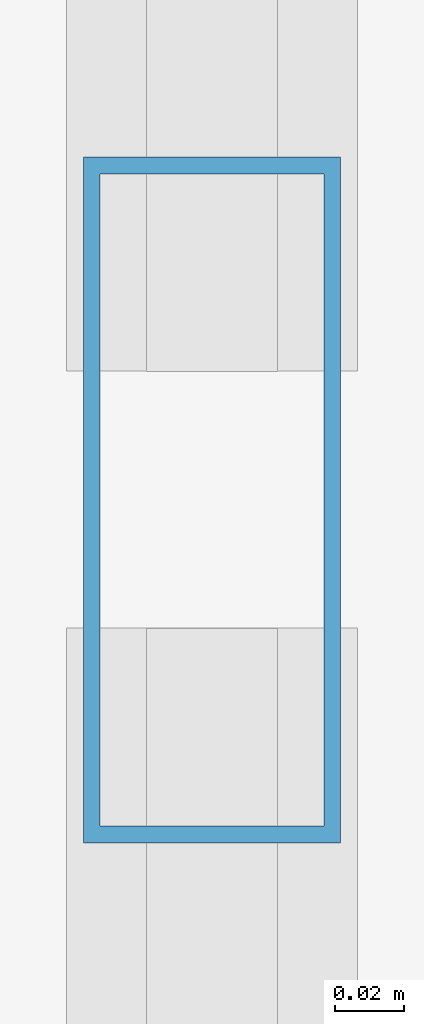
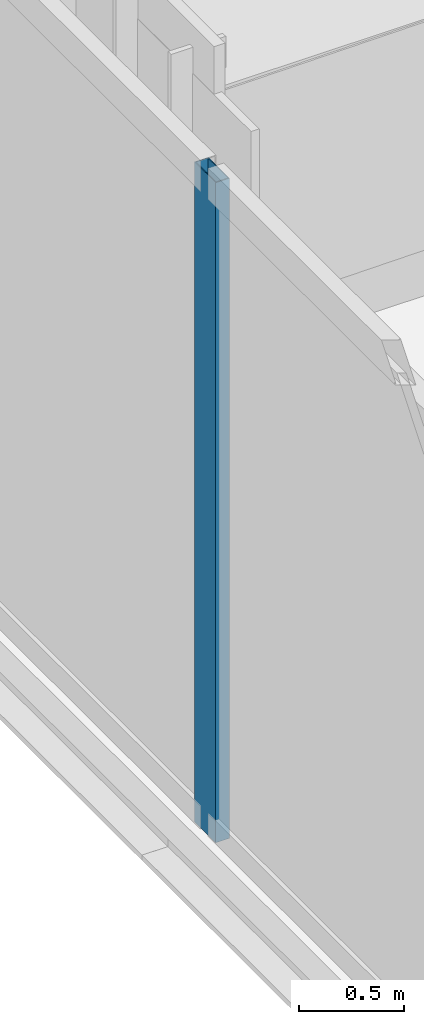
# One storey, part 9 of 32: 1 member, 1 element without a shape of its own.
"""IFC4 building model written with IfcOpenShell, lengths in metres."""

from ifc_helpers import new_model, si_unit, direction, frame, origin, origin_2d, place, context, subcontext, project, spatial, hollow_rectangle, extrude, material, material_profile, profile_set, type_object, element, aggregate, save


model = new_model("IFC4")

# Units and contexts
model_context = context("Model", 3, precision=1e-05, world=origin(), true_north=direction((0.0, 1.0)))
body_context = subcontext(model_context, "Body", "Model", "MODEL_VIEW")
ifc_project = project(units=[si_unit("LENGTHUNIT", "METRE"), si_unit("AREAUNIT", "SQUARE_METRE"), si_unit("VOLUMEUNIT", "CUBIC_METRE"), si_unit("PLANEANGLEUNIT", "RADIAN"), si_unit("MASSUNIT", "GRAM", prefix="KILO")], contexts=[model_context])

# Site, building, storey
site_placement = place(None, origin())
site = spatial("IfcSite", under=ifc_project, at=site_placement, CompositionType="ELEMENT")
building_placement = place(site_placement, origin())
building = spatial("IfcBuilding", under=site, at=building_placement, Name="Khoronbel Lancet Exchange", CompositionType="ELEMENT")
storey_placement = place(building_placement, frame((0.0, 0.0, 77.800048828125)))
storey = spatial("IfcBuildingStorey", under=building, at=storey_placement, Name="L18", CompositionType="ELEMENT", Elevation=77.800048828125)

# Curtain wall, member
ifc_material_1 = material(Name="Low-E Solar Control Insulating Glass", Category="glass")
curtain_wall_type = type_object("IfcCurtainWallType", Name="CW-4", PredefinedType="NOTDEFINED", material=ifc_material_1)
curtain_wall_placement = place(storey_placement, origin())
curtain_wall = element("IfcCurtainWall", 1, at=curtain_wall_placement, inside=storey, type_object=curtain_wall_type, Name="Unitised curtain wall CW-L18-E03", PredefinedType="NOTDEFINED")
ifc_material_2 = material(Name="Bronze-Anodised Aluminium 6063-T6", Category="aluminium")
ifc_material_profile = material_profile(ifc_material_2, hollow_rectangle(XDim=0.074951171875, YDim=0.199951171875, WallThickness=0.0048828125, at=origin_2d()), Name="ALU MULLION 75x200")
ifc_profile_set = profile_set([ifc_material_profile], Name="Bronze-Anodised Aluminium 6063-T6")
member_type = type_object("IfcMemberType", Name="MEM-CWM2", PredefinedType="MULLION", material=ifc_profile_set)
member_placement = place(storey_placement, frame((0.93994140625, 30.449951171875, 0.0), z_axis=(0.0, 0.0, 1.0), x_axis=(-1.0, 0.0, 0.0)))
member = element("IfcMember", 2, at=member_placement, type_object=member_type, Name="CW4 mullion 2", PredefinedType="MULLION", context=body_context, shape_type="SweptSolid", body=[
    extrude(hollow_rectangle(XDim=0.074951171875, YDim=0.199951171875, WallThickness=0.0048828125, at=origin_2d()), origin(), (0.0, 0.0, 1.0), 3.820068359375),
])
aggregate(curtain_wall, [member])

save(model, "model.ifc")
